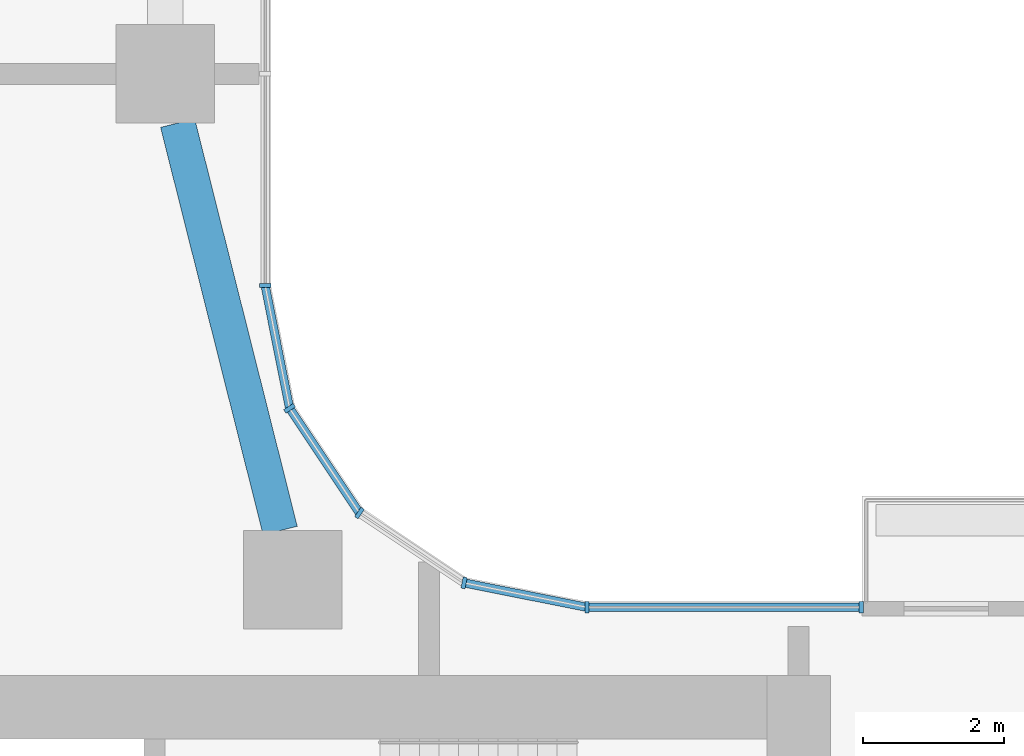
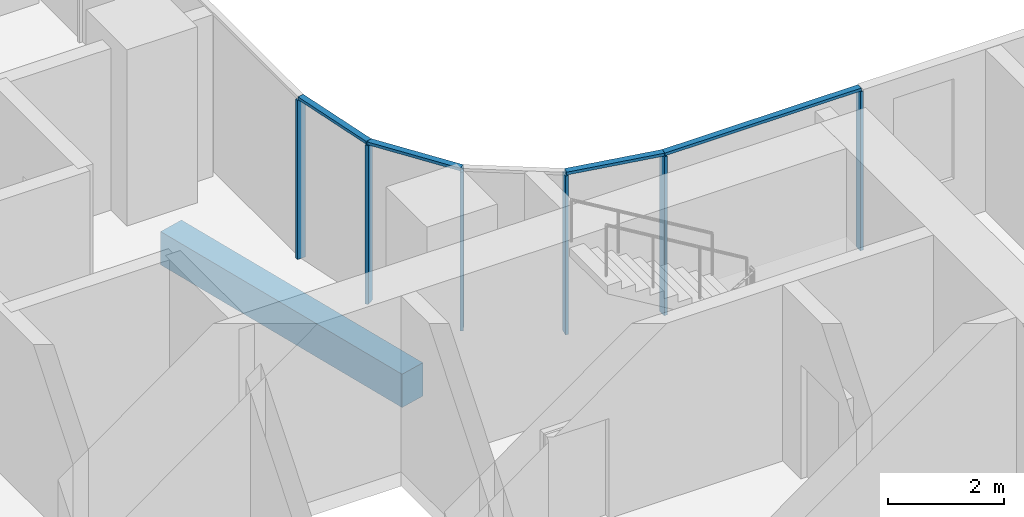
# One storey, part 2 of 31: 10 members, 1 beam, 3 elements without a shape of their own.
"""IFC4 building model written with IfcOpenShell, lengths in metres."""

from ifc_helpers import new_model, si_unit, direction, frame, origin, origin_2d, place, context, subcontext, project, spatial, rectangle, extrude, material, material_profile, profile_set, type_object, element, aggregate, save


model = new_model("IFC4")

# Units and contexts
model_context = context("Model", 3, precision=1e-05, world=origin(), true_north=direction((0.0, 1.0)))
body_context = subcontext(model_context, "Body", "Model", "MODEL_VIEW")
ifc_project = project(units=[si_unit("LENGTHUNIT", "METRE"), si_unit("AREAUNIT", "SQUARE_METRE"), si_unit("VOLUMEUNIT", "CUBIC_METRE"), si_unit("PLANEANGLEUNIT", "RADIAN"), si_unit("MASSUNIT", "GRAM", prefix="KILO")], contexts=[model_context])

# Site, building, storey
site_placement = place(None, origin())
site = spatial("IfcSite", under=ifc_project, at=site_placement, CompositionType="ELEMENT")
building_placement = place(site_placement, origin())
building = spatial("IfcBuilding", under=site, at=building_placement, Name="Ogive Portal Towers", CompositionType="ELEMENT")
storey_placement = place(building_placement, frame((0.0, 0.0, 74.199951171875)))
storey = spatial("IfcBuildingStorey", under=building, at=storey_placement, Name="L17", CompositionType="ELEMENT", Elevation=74.199951171875)

# Curtain wall, members
ifc_material_1 = material(Name="Glass, clear low-iron insulated glazing", Category="glass")
curtain_wall_type = type_object("IfcCurtainWallType", Name="CW FRONT RIBBON 4500", PredefinedType="NOTDEFINED", material=ifc_material_1)
curtain_wall_1_placement = place(storey_placement, origin())
curtain_wall_1 = element("IfcCurtainWall", 1, at=curtain_wall_1_placement, inside=storey, type_object=curtain_wall_type, Name="A:L17:f12:cw2", PredefinedType="NOTDEFINED")
ifc_material_2 = material(Name="Aluminium 6063 anodised", Category="aluminium")
ifc_material_profile_1 = material_profile(ifc_material_2, rectangle(XDim=0.159912109375, YDim=0.06005859375, at=origin_2d()), Name="AL 60x160")
ifc_profile_set_1 = profile_set([ifc_material_profile_1], Name="Aluminium 6063 anodised")
member_type_1 = type_object("IfcMemberType", Name="CW MULLION 60x160", PredefinedType="MULLION", material=ifc_profile_set_1)
member_1_placement = place(storey_placement, frame((59.390869140625, 40.919921875, 0.0), z_axis=(0.0, 0.0, 1.0), x_axis=(0.0, -1.0, 0.0)))
member_1 = element("IfcMember", 2, at=member_1_placement, type_object=member_type_1, Name="mullion", PredefinedType="MULLION", context=body_context, shape_type="SweptSolid", body=[
    extrude(rectangle(XDim=0.159912109375, YDim=0.06005859375, at=origin_2d()), origin(), (0.0, 0.0, 1.0), 3.340087890625),
])
member_2_placement = place(storey_placement, frame((55.4921875, 40.919921875, 0.0), z_axis=(0.0, 0.0, 1.0), x_axis=(0.0, -1.0, 0.0)))
member_2 = element("IfcMember", 3, at=member_2_placement, type_object=member_type_1, Name="mullion", PredefinedType="MULLION", context=body_context, shape_type="SweptSolid", body=[
    extrude(rectangle(XDim=0.159912109375, YDim=0.06005859375, at=origin_2d()), origin(), (0.0, 0.0, 1.0), 3.340087890625),
])

# Curtain wall, member
curtain_wall_2_placement = place(storey_placement, origin())
curtain_wall_2 = element("IfcCurtainWall", 4, at=curtain_wall_2_placement, inside=storey, type_object=curtain_wall_type, Name="A:L17:f17:cw0", PredefinedType="NOTDEFINED")
member_3_placement = place(storey_placement, frame((50.919921875, 45.4921875, 0.0), z_axis=(0.0, 0.0, 1.0), x_axis=(-1.0, 0.0, 0.0)))
member_3 = element("IfcMember", 5, at=member_3_placement, type_object=member_type_1, Name="mullion", PredefinedType="MULLION", context=body_context, shape_type="SweptSolid", body=[
    extrude(rectangle(XDim=0.159912109375, YDim=0.06005859375, at=origin_2d()), origin(), (0.0, 0.0, 1.0), 3.340087890625),
])
aggregate(curtain_wall_2, [member_3])

# Curtain wall, members
curtain_wall_3_placement = place(storey_placement, origin())
curtain_wall_3 = element("IfcCurtainWall", 6, at=curtain_wall_3_placement, inside=storey, type_object=curtain_wall_type, Name="A:L17:f13:cwa", PredefinedType="NOTDEFINED")
member_4_placement = place(storey_placement, frame((53.746826171875, 41.26708984375, 0.0), z_axis=(0.0, 0.0, 1.0), x_axis=(-0.195090322016, -0.980785280403, 0.0)))
member_4 = element("IfcMember", 7, at=member_4_placement, type_object=member_type_1, Name="mullion", PredefinedType="MULLION", context=body_context, shape_type="SweptSolid", body=[
    extrude(rectangle(XDim=0.159912109375, YDim=0.06005859375, at=origin_2d()), origin(), (0.0, 0.0, 1.0), 3.340087890625),
])
member_5_placement = place(storey_placement, frame((52.26025390625, 42.26025390625, 0.0), z_axis=(0.0, 0.0, 1.0), x_axis=(-0.55557023302, -0.831469612303, 0.0)))
member_5 = element("IfcMember", 8, at=member_5_placement, type_object=member_type_1, Name="mullion", PredefinedType="MULLION", context=body_context, shape_type="SweptSolid", body=[
    extrude(rectangle(XDim=0.159912109375, YDim=0.06005859375, at=origin_2d()), origin(), (0.0, 0.0, 1.0), 3.340087890625),
])
member_6_placement = place(storey_placement, frame((51.26708984375, 43.746826171875, 0.0), z_axis=(0.0, 0.0, 1.0), x_axis=(-0.831469612303, -0.55557023302, 0.0)))
member_6 = element("IfcMember", 9, at=member_6_placement, type_object=member_type_1, Name="mullion", PredefinedType="MULLION", context=body_context, shape_type="SweptSolid", body=[
    extrude(rectangle(XDim=0.159912109375, YDim=0.06005859375, at=origin_2d()), origin(), (0.0, 0.0, 1.0), 3.340087890625),
])

# Member
ifc_material_profile_2 = material_profile(ifc_material_2, rectangle(XDim=0.1201171875, YDim=0.06005859375, at=origin_2d()), Name="AL 120x60")
ifc_profile_set_2 = profile_set([ifc_material_profile_2], Name="Aluminium 6063 anodised")
member_type_2 = type_object("IfcMemberType", Name="CW TRANSOM 60x120", PredefinedType="USERDEFINED", material=ifc_profile_set_2)
member_7_placement = place(storey_placement, frame((59.390869140625, 40.919921875, 3.3701171875), z_axis=(-1.0, 0.0, 0.0), x_axis=(0.0, -1.0, 0.0)))
member_7 = element("IfcMember", 10, at=member_7_placement, type_object=member_type_2, Name="transom", ObjectType="TRANSOM", PredefinedType="USERDEFINED", context=body_context, shape_type="SweptSolid", body=[
    extrude(rectangle(XDim=0.1201171875, YDim=0.06005859375, at=origin_2d()), origin(), (0.0, 0.0, 1.0), 3.898681640625),
])

aggregate(curtain_wall_1, [member_7, member_1, member_2])

member_8_placement = place(storey_placement, frame((55.4921875, 40.919921875, 3.3701171875), z_axis=(-0.980785923915, 0.195087086838, 0.0), x_axis=(-0.195087086838, -0.980785923915, 0.0)))
member_8 = element("IfcMember", 11, at=member_8_placement, type_object=member_type_2, Name="transom", ObjectType="TRANSOM", PredefinedType="USERDEFINED", context=body_context, shape_type="SweptSolid", body=[
    extrude(rectangle(XDim=0.1201171875, YDim=0.06005859375, at=origin_2d()), origin(), (0.0, 0.0, 1.0), 1.779541015625),
])

member_9_placement = place(storey_placement, frame((52.26025390625, 42.26025390625, 3.3701171875), z_axis=(-0.555519277244, 0.831503657605, 0.0), x_axis=(-0.831503657605, -0.555519277244, 0.0)))
member_9 = element("IfcMember", 12, at=member_9_placement, type_object=member_type_2, Name="transom", ObjectType="TRANSOM", PredefinedType="USERDEFINED", context=body_context, shape_type="SweptSolid", body=[
    extrude(rectangle(XDim=0.1201171875, YDim=0.06005859375, at=origin_2d()), origin(), (0.0, 0.0, 1.0), 1.787841796875),
])

member_10_placement = place(storey_placement, frame((51.26708984375, 43.746826171875, 3.3701171875), z_axis=(-0.195087086838, 0.980785923915, 0.0), x_axis=(-0.980785923915, -0.195087086838, 0.0)))
member_10 = element("IfcMember", 13, at=member_10_placement, type_object=member_type_2, Name="transom", ObjectType="TRANSOM", PredefinedType="USERDEFINED", context=body_context, shape_type="SweptSolid", body=[
    extrude(rectangle(XDim=0.1201171875, YDim=0.06005859375, at=origin_2d()), origin(), (0.0, 0.0, 1.0), 1.779541015625),
])

aggregate(curtain_wall_3, [member_8, member_9, member_10, member_4, member_5, member_6])

# Beam
ifc_material_3 = material(Name="Concrete C40/50", Category="concrete")
ifc_material_profile_3 = material_profile(ifc_material_3, rectangle(XDim=0.5, YDim=0.699951171875, at=origin_2d()), Name="RC 500x700")
ifc_profile_set_3 = profile_set([ifc_material_profile_3], Name="Concrete C40/50")
beam_type = type_object("IfcBeamType", Name="SPANDREL BEAM RC 500x700", PredefinedType="BEAM", material=ifc_profile_set_3)
beam_placement = place(storey_placement, frame((49.67626953125, 47.800048828125, -0.64990234375), z_axis=(0.24411317639, -0.969746748957, 0.0), x_axis=(0.969746748957, 0.24411317639, 0.0)))
element("IfcBeam", 14, at=beam_placement, inside=storey, type_object=beam_type, Name="Spandrel beam L17", PredefinedType="BEAM", context=body_context, shape_type="SweptSolid", body=[
    extrude(rectangle(XDim=0.5, YDim=0.699951171875, at=origin_2d()), origin(), (0.0, 0.0, 1.0), 5.970703125),
])

save(model, "model.ifc")
